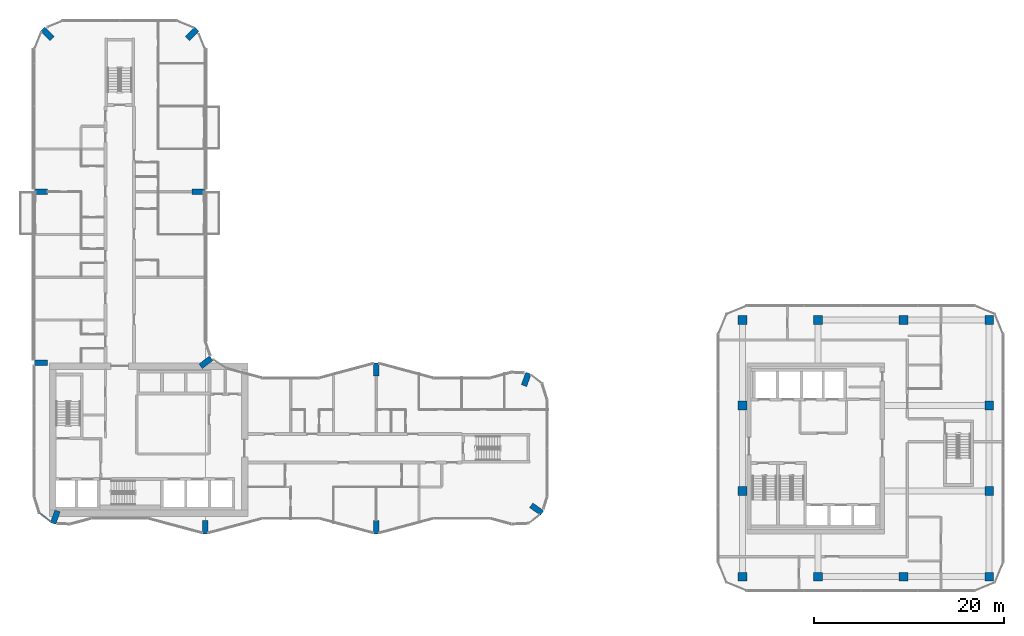
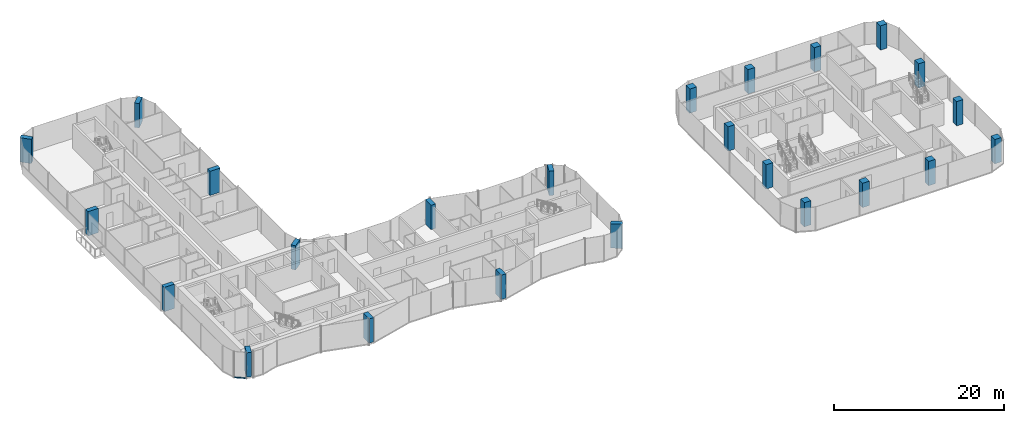
# One storey, part 1 of 22: 24 columns, 1 member, 1 element without a shape of its own.
"""IFC4 building model written with IfcOpenShell, lengths in metres."""

from ifc_helpers import new_model, si_unit, direction, frame, origin, origin_2d, place, context, subcontext, project, spatial, rectangle, extrude, material, layer, layer_set, material_profile, profile_set, type_object, element, aggregate, save


model = new_model("IFC4")

# Units and contexts
model_context = context("Model", 3, precision=1e-05, world=origin(), true_north=direction((0.0, 1.0)))
body_context = subcontext(model_context, "Body", "Model", "MODEL_VIEW")
ifc_project = project(units=[si_unit("LENGTHUNIT", "METRE"), si_unit("AREAUNIT", "SQUARE_METRE"), si_unit("VOLUMEUNIT", "CUBIC_METRE"), si_unit("PLANEANGLEUNIT", "RADIAN"), si_unit("MASSUNIT", "GRAM", prefix="KILO")], contexts=[model_context])

# Site, building, storey
site_placement = place(None, origin())
site = spatial("IfcSite", under=ifc_project, at=site_placement, CompositionType="ELEMENT")
building_placement = place(site_placement, origin())
building = spatial("IfcBuilding", under=site, at=building_placement, Name="Plateau Cross Towers", CompositionType="ELEMENT")
storey_placement = place(building_placement, frame((0.0, 0.0, 68.800048828125)))
storey = spatial("IfcBuildingStorey", under=building, at=storey_placement, Name="L17", CompositionType="ELEMENT", Elevation=68.800048828125)

# Columns
ifc_material_1 = material(Name="Concrete C60/75", Category="concrete")
ifc_material_profile_1 = material_profile(ifc_material_1, rectangle(XDim=0.60009765625, YDim=1.39990234375, at=origin_2d()), Name="RC 600x1400")
ifc_profile_set_1 = profile_set([ifc_material_profile_1], Name="Concrete C60/75")
column_type_1 = type_object("IfcColumnType", Name="Fin pier column RC 600x1400", PredefinedType="COLUMN", material=ifc_profile_set_1)
for number, where, z_axis, x_axis, name in (
    (1, (18.0, 0.699951171875, 0.0), (0.0, 0.0, 1.0), (1.0, 0.0, 0.0), "PR1 L17"),
    (2, (36.0, 0.699951171875, 0.0), (0.0, 0.0, 1.0), (1.0, 0.0, 0.0), "PR2 L17"),
    (3, (52.884033203125, 2.590087890625, 0.0), (0.0, 0.0, 1.0), (0.573542637991, 0.819175709117, 0.0), "PR3 L17"),
    (4, (51.786865234375, 16.251953125, 0.0), (0.0, 0.0, 1.0), (-0.939664280925, 0.342097996418, 0.0), "PR4 L17"),
    (5, (36.0, 17.300048828125, 0.0), (0.0, 0.0, 1.0), (1.0, 0.0, 0.0), "PR5 L17"),
    (6, (18.064697265625, 18.049560546875, 0.0), (0.0, 0.0, 1.0), (-0.608810846443, 0.793315418515, 0.0), "PR6 L17"),
    (7, (17.300048828125, 36.0, 0.0), (0.0, 0.0, 1.0), (0.0, 1.0, 0.0), "PR7 L17"),
    (8, (16.62646484375, 52.62646484375, 0.0), (0.0, 0.0, 1.0), (-0.707106781187, 0.707106781187, 0.0), "PR8 L17"),
    (9, (1.37353515625, 52.62646484375, 0.0), (0.0, 0.0, 1.0), (0.707106781187, 0.707106781187, 0.0), "PR9 L17"),
    (10, (0.699951171875, 36.0, 0.0), (0.0, 0.0, 1.0), (0.0, 1.0, 0.0), "PR10 L17"),
    (11, (0.699951171875, 18.0, 0.0), (0.0, 0.0, 1.0), (0.0, 1.0, 0.0), "PR11 L17"),
    (12, (2.213134765625, 1.748046875, 0.0), (0.0, 0.0, 1.0), (-0.939664280925, 0.342097996418, 0.0), "PR12 L17"),
):
    element("IfcColumn", number, at=place(storey_placement, frame(where, z_axis=z_axis, x_axis=x_axis)), inside=storey, type_object=column_type_1, Name=name, PredefinedType="COLUMN", context=body_context, shape_type="SweptSolid", body=[
        extrude(rectangle(XDim=0.60009765625, YDim=1.39990234375, at=origin_2d()), origin(), (0.0, 0.0, 1.0), 3.5),
    ])
ifc_material_profile_2 = material_profile(ifc_material_1, rectangle(XDim=0.89990234375, YDim=0.89990234375, at=origin_2d()), Name="RC 900x900")
ifc_profile_set_2 = profile_set([ifc_material_profile_2], Name="Concrete C60/75")
column_type_2 = type_object("IfcColumnType", Name="Office column RC 900x900", PredefinedType="COLUMN", material=ifc_profile_set_2)
for number, where, z_axis, x_axis, name in (
    (13, (74.550048828125, -4.5, 0.0), (0.0, 0.0, 1.0), (1.0, 0.0, 0.0), "B-C746_-45 L17"),
    (14, (82.5, -4.5, 0.0), (0.0, 0.0, 1.0), (1.0, 0.0, 0.0), "B-C825_-45 L17"),
    (15, (91.5, -4.5, 0.0), (0.0, 0.0, 1.0), (1.0, 0.0, 0.0), "B-C915_-45 L17"),
    (16, (100.5, -4.5, 0.0), (0.0, 0.0, 1.0), (1.0, 0.0, 0.0), "B-C1005_-45 L17"),
    (17, (100.5, 4.5, 0.0), (0.0, 0.0, 1.0), (1.0, 0.0, 0.0), "B-C1005_45 L17"),
    (18, (100.5, 13.5, 0.0), (0.0, 0.0, 1.0), (1.0, 0.0, 0.0), "B-C1005_135 L17"),
    (19, (100.5, 22.5, 0.0), (0.0, 0.0, 1.0), (1.0, 0.0, 0.0), "B-C1005_225 L17"),
    (20, (91.5, 22.5, 0.0), (0.0, 0.0, 1.0), (1.0, 0.0, 0.0), "B-C915_225 L17"),
    (21, (82.5, 22.5, 0.0), (0.0, 0.0, 1.0), (1.0, 0.0, 0.0), "B-C825_225 L17"),
    (22, (74.550048828125, 22.5, 0.0), (0.0, 0.0, 1.0), (1.0, 0.0, 0.0), "B-C746_225 L17"),
    (23, (74.550048828125, 13.5, 0.0), (0.0, 0.0, 1.0), (1.0, 0.0, 0.0), "B-C746_135 L17"),
    (24, (74.550048828125, 4.5, 0.0), (0.0, 0.0, 1.0), (1.0, 0.0, 0.0), "B-C746_45 L17"),
):
    element("IfcColumn", number, at=place(storey_placement, frame(where, z_axis=z_axis, x_axis=x_axis)), inside=storey, type_object=column_type_2, Name=name, PredefinedType="COLUMN", context=body_context, shape_type="SweptSolid", body=[
        extrude(rectangle(XDim=0.89990234375, YDim=0.89990234375, at=origin_2d()), origin(), (0.0, 0.0, 1.0), 3.5),
    ])

# Curtain wall, member
ifc_material_2 = material(Name="Dark low-iron glass", Category="glass")
ifc_layer = layer(ifc_material_2, 0.239990234375)
ifc_layer_set = layer_set([ifc_layer], Name="Dark low-iron glass")
curtain_wall_type = type_object("IfcCurtainWallType", Name="Curtain wall flush unitised CW-B", PredefinedType="NOTDEFINED", material=ifc_layer_set)
curtain_wall_placement = place(storey_placement, origin())
curtain_wall = element("IfcCurtainWall", 25, at=curtain_wall_placement, inside=storey, type_object=curtain_wall_type, Name="ENV/A/L17/A5_22", PredefinedType="NOTDEFINED")
ifc_material_3 = material(Name="Black anodised aluminium", Category="aluminium")
ifc_material_profile_3 = material_profile(ifc_material_3, rectangle(XDim=0.10009765625, YDim=0.1201171875, at=origin_2d()), Name="TRANSOM 100x120")
ifc_profile_set_3 = profile_set([ifc_material_profile_3], Name="Black anodised aluminium")
member_type = type_object("IfcMemberType", Name="Transom 100x120 flush unitised", PredefinedType="USERDEFINED", material=ifc_profile_set_3)
member_placement = place(storey_placement, frame((0.54248046875, 2.1884765625, -0.18994140625), z_axis=(0.793320508571, -0.608804213751, 0.0), x_axis=(0.608804213751, 0.793320508571, 0.0)))
member = element("IfcMember", 26, at=member_placement, type_object=member_type, Name="CW-B transom", ObjectType="TRANSOM", PredefinedType="USERDEFINED", context=body_context, shape_type="SweptSolid", body=[
    extrude(rectangle(XDim=0.10009765625, YDim=0.1201171875, at=origin_2d()), origin(), (0.0, 0.0, 1.0), 1.471435546875),
])
aggregate(curtain_wall, [member])

save(model, "model.ifc")
